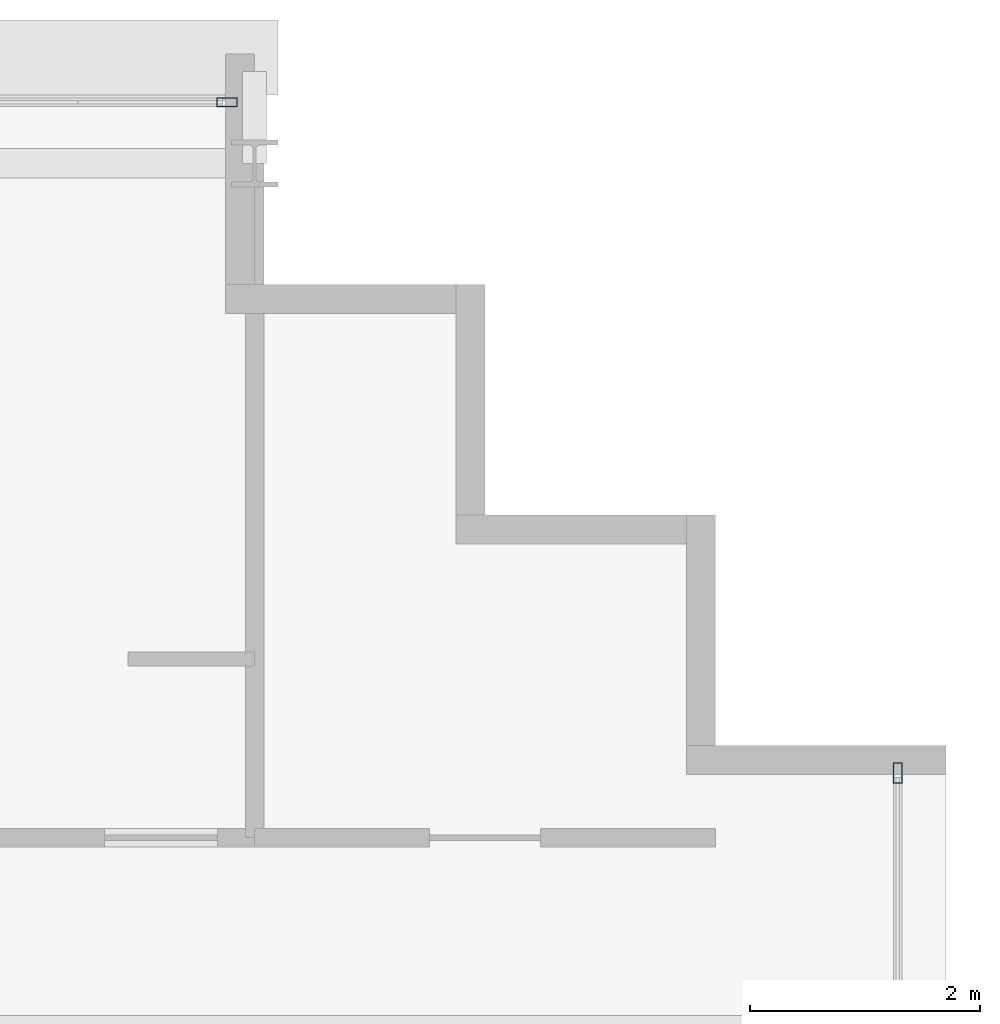
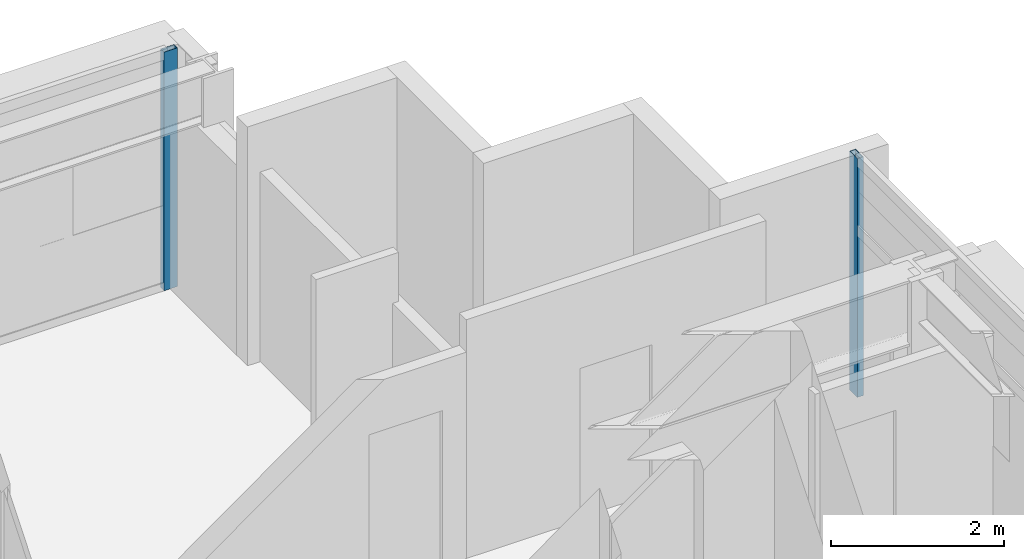
# One storey, part 19 of 30: 2 members, 2 elements without a shape of their own.
"""IFC4 building model written with IfcOpenShell, lengths in metres."""

from ifc_helpers import new_model, si_unit, direction, frame, origin, origin_2d, place, context, subcontext, project, spatial, hollow_rectangle, extrude, source, transform, mapped, material, layer, layer_set, material_profile, profile_set, type_object, element, aggregate, save


model = new_model("IFC4")

# Units and contexts
model_context = context("Model", 3, precision=1e-05, world=origin(), true_north=direction((0.0, 1.0)))
body_context = subcontext(model_context, "Body", "Model", "MODEL_VIEW")
ifc_project = project(units=[si_unit("LENGTHUNIT", "METRE"), si_unit("AREAUNIT", "SQUARE_METRE"), si_unit("VOLUMEUNIT", "CUBIC_METRE"), si_unit("PLANEANGLEUNIT", "RADIAN"), si_unit("MASSUNIT", "GRAM", prefix="KILO")], contexts=[model_context])

# Site, building, storey
site_placement = place(None, origin())
site = spatial("IfcSite", under=ifc_project, at=site_placement, CompositionType="ELEMENT")
building_placement = place(site_placement, origin())
building = spatial("IfcBuilding", under=site, at=building_placement, Name="Ocotamira Hotel", CompositionType="ELEMENT")
storey_placement = place(building_placement, frame((0.0, 0.0, 195.60009765625)))
storey = spatial("IfcBuildingStorey", under=building, at=storey_placement, Name="L49", CompositionType="ELEMENT", Elevation=195.60009765625)

# Curtain wall, member
ifc_material_1 = material(Name="Anodised pale-metal aluminium and solar glass", Category="aluminium")
ifc_layer = layer(ifc_material_1, 0.199951171875)
ifc_layer_set = layer_set([ifc_layer], Name="Anodised pale-metal aluminium and solar glass")
curtain_wall_type = type_object("IfcCurtainWallType", Name="CW-SYS4-Z3", PredefinedType="NOTDEFINED", material=ifc_layer_set)
curtain_wall_1_placement = place(storey_placement, origin())
curtain_wall_1 = element("IfcCurtainWall", 1, at=curtain_wall_1_placement, inside=storey, type_object=curtain_wall_type, Name="L49 Curtain Wall CW-4 CW-L49-N", PredefinedType="NOTDEFINED")
ifc_material_2 = material(Name="Anodised pale-metal aluminium 6063-T6", Category="aluminium")
ifc_material_profile = material_profile(ifc_material_2, hollow_rectangle(XDim=0.080078125, YDim=0.179931640625, WallThickness=0.006103515625, at=origin_2d()), Name="HSS180X80X6")
ifc_profile_set = profile_set([ifc_material_profile], Name="Anodised pale-metal aluminium 6063-T6")
member_type = type_object("IfcMemberType", Name="CWM-180X75", PredefinedType="MULLION", material=ifc_profile_set)
shared_shape = source(origin(), body_context, "Body", "SweptSolid", [
    extrude(hollow_rectangle(XDim=0.080078125, YDim=0.179931640625, WallThickness=0.006103515625, at=origin_2d()), origin(), (0.0, 0.0, 1.0), 3.369873046875),
])
member_1_placement = place(storey_placement, frame((49.760009765625, 45.580078125, 0.0), z_axis=(0.0, 0.0, 1.0), x_axis=(0.0, 1.0, 0.0)))
member_1 = element("IfcMember", 2, at=member_1_placement, type_object=member_type, Name="CW-4 mullion 10", PredefinedType="MULLION", context=body_context, shape_type="MappedRepresentation", body=[
    mapped(shared_shape, transform((0.0, 0.0, 0.0), scale=1.0)),
])
aggregate(curtain_wall_1, [member_1])

curtain_wall_2_placement = place(storey_placement, origin())
curtain_wall_2 = element("IfcCurtainWall", 3, at=curtain_wall_2_placement, inside=storey, type_object=curtain_wall_type, Name="L49 Curtain Wall CW-4 CW-L49-E", PredefinedType="NOTDEFINED")
member_2_placement = place(storey_placement, frame((55.580078125, 39.760009765625, 0.0), z_axis=(0.0, 0.0, 1.0), x_axis=(-1.0, 0.0, 0.0)))
member_2 = element("IfcMember", 4, at=member_2_placement, type_object=member_type, Name="CW-4 mullion 6", PredefinedType="MULLION", context=body_context, shape_type="MappedRepresentation", body=[
    mapped(shared_shape, transform((0.0, 0.0, 0.0), scale=1.0)),
])
aggregate(curtain_wall_2, [member_2])

save(model, "model.ifc")
